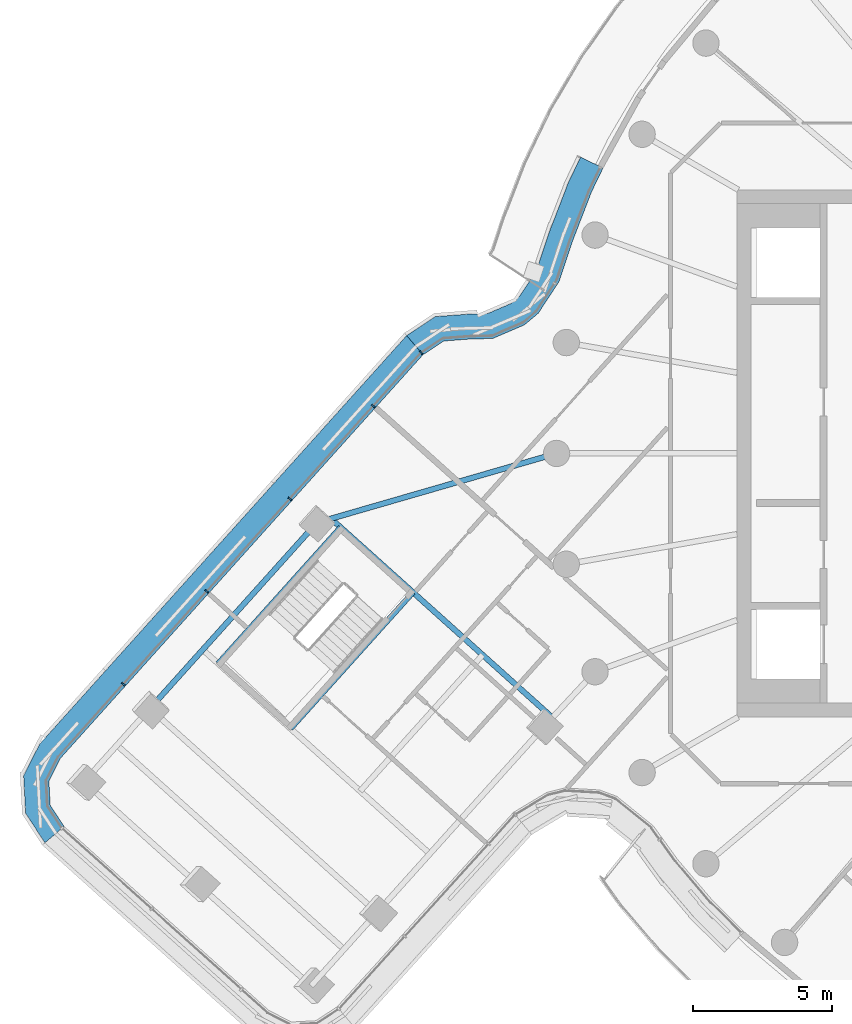
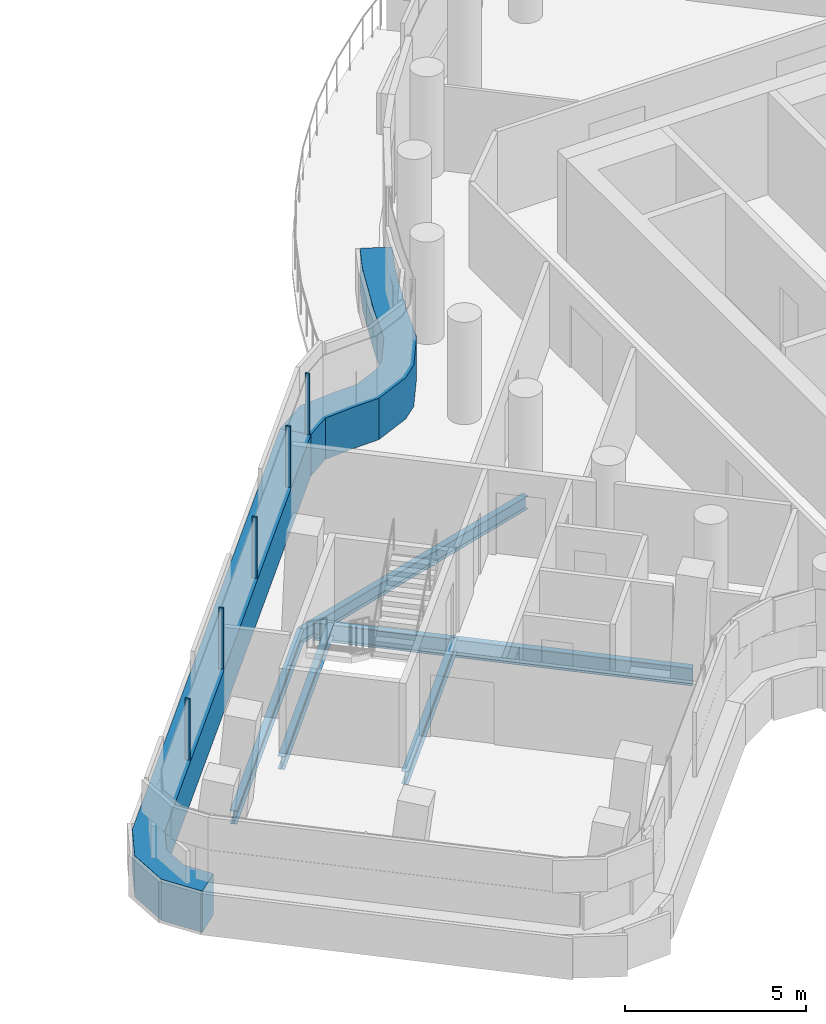
# One storey, part 8 of 31: 7 members, 5 beams, 2 elements without a shape of their own.
"""IFC4 building model written with IfcOpenShell, lengths in metres."""

from ifc_helpers import new_model, si_unit, direction, frame, origin, origin_2d, place, context, subcontext, project, spatial, polyline, rectangle, i_section, outline, extrude, material, layer, layer_set, material_profile, profile_set, type_object, element, aggregate, save


model = new_model("IFC4")

# Units and contexts
model_context = context("Model", 3, precision=1e-05, world=origin(), true_north=direction((0.0, 1.0)))
body_context = subcontext(model_context, "Body", "Model", "MODEL_VIEW")
ifc_project = project(units=[si_unit("LENGTHUNIT", "METRE"), si_unit("AREAUNIT", "SQUARE_METRE"), si_unit("VOLUMEUNIT", "CUBIC_METRE"), si_unit("PLANEANGLEUNIT", "RADIAN"), si_unit("MASSUNIT", "GRAM", prefix="KILO")], contexts=[model_context])

# Site, building, storey
site_placement = place(None, origin())
site = spatial("IfcSite", under=ifc_project, at=site_placement, CompositionType="ELEMENT")
building_placement = place(site_placement, origin())
building = spatial("IfcBuilding", under=site, at=building_placement, Name="Tamarind Cross Interchange Tower", CompositionType="ELEMENT")
storey_placement = place(building_placement, frame((0.0, 0.0, 207.699951171875)))
storey = spatial("IfcBuildingStorey", under=building, at=storey_placement, Name="L52", CompositionType="ELEMENT", Elevation=207.699951171875)

# Beams
ifc_material_1 = material(Name="Steel Q355B", Category="steel")
ifc_material_profile_1 = material_profile(ifc_material_1, i_section(OverallWidth=0.198974609375, OverallDepth=0.446044921875, WebThickness=0.008056640625, FlangeThickness=0.011962890625, FilletRadius=0.012939453125, at=origin_2d()), Name="HN 446x199x8x12")
ifc_profile_set_1 = profile_set([ifc_material_profile_1], Name="Steel Q355B")
beam_type_1 = type_object("IfcBeamType", Name="Composite beam HN 446x199x8x12 Q355B", PredefinedType="BEAM", material=ifc_profile_set_1)
beam_1_placement = place(storey_placement, frame((-37.653564453125, -9.19287109375, -0.363037109375), z_axis=(0.668338041113, 0.743857689885, 0.0), x_axis=(-0.743857689885, 0.668338041113, 0.0)))
element("IfcBeam", 1, at=beam_1_placement, inside=storey, type_object=beam_type_1, Name="Beam W-edgeem6", PredefinedType="BEAM", context=body_context, shape_type="SweptSolid", body=[
    extrude(i_section(OverallWidth=0.198974609375, OverallDepth=0.446044921875, WebThickness=0.008056640625, FlangeThickness=0.011962890625, FilletRadius=0.012939453125, at=origin_2d()), origin(), (0.0, 0.0, 1.0), 9.000244140625),
])
beam_2_placement = place(storey_placement, frame((-31.638427734375, -2.498046875, -0.363037109375), z_axis=(0.960639987871, 0.277796352935, 0.0), x_axis=(-0.277796352935, 0.960639987871, 0.0)))
element("IfcBeam", 2, at=beam_2_placement, inside=storey, type_object=beam_type_1, Name="Beam W-linkem", PredefinedType="BEAM", context=body_context, shape_type="SweptSolid", body=[
    extrude(i_section(OverallWidth=0.198974609375, OverallDepth=0.446044921875, WebThickness=0.008056640625, FlangeThickness=0.011962890625, FilletRadius=0.012939453125, at=origin_2d()), origin(), (0.0, 0.0, 1.0), 8.992431640625),
])
for number, where, z_axis, x_axis, name in (
    (3, (-30.77978515625, -2.66455078125, -0.363037109375), (-0.668349352044, -0.743847527134, 0.0), (0.743847527134, -0.668349352044, 0.0), "Beam W-tr0"),
    (4, (-28.17626953125, -5.00390625, -0.363037109375), (-0.668349352044, -0.743847527134, 0.0), (0.743847527134, -0.668349352044, 0.0), "Beam W-tr1"),
):
    element("IfcBeam", number, at=place(storey_placement, frame(where, z_axis=z_axis, x_axis=x_axis)), inside=storey, type_object=beam_type_1, Name=name, PredefinedType="BEAM", context=body_context, shape_type="SweptSolid", body=[
        extrude(i_section(OverallWidth=0.198974609375, OverallDepth=0.446044921875, WebThickness=0.008056640625, FlangeThickness=0.011962890625, FilletRadius=0.012939453125, at=origin_2d()), origin(), (0.0, 0.0, 1.0), 6.60009765625),
    ])
ifc_material_profile_2 = material_profile(ifc_material_1, i_section(OverallWidth=0.198974609375, OverallDepth=0.595947265625, WebThickness=0.010009765625, FlangeThickness=0.014892578125, FilletRadius=0.012939453125, at=origin_2d()), Name="HN 596x199x10x15")
ifc_profile_set_2 = profile_set([ifc_material_profile_2], Name="Steel Q355B")
beam_type_2 = type_object("IfcBeamType", Name="Composite beam HN 596x199x10x15 Q355B", PredefinedType="BEAM", material=ifc_profile_set_2)
beam_3_placement = place(storey_placement, frame((-31.129150390625, -2.350830078125, -0.43798828125), z_axis=(0.743855189461, -0.668340824065, 0.0), x_axis=(0.668340824065, 0.743855189461, 0.0)))
element("IfcBeam", 5, at=beam_3_placement, inside=storey, type_object=beam_type_2, Name="Beam W-x298", PredefinedType="BEAM", context=body_context, shape_type="SweptSolid", body=[
    extrude(i_section(OverallWidth=0.198974609375, OverallDepth=0.595947265625, WebThickness=0.010009765625, FlangeThickness=0.014892578125, FilletRadius=0.012939453125, at=origin_2d()), origin(), (0.0, 0.0, 1.0), 10.727294921875),
])

# Curtain wall, member
ifc_material_2 = material(Name="Aluminium 6063-T6", Category="aluminium")
ifc_layer = layer(ifc_material_2, 0.139892578125)
ifc_layer_set = layer_set([ifc_layer], Name="Aluminium 6063-T6")
curtain_wall_type = type_object("IfcCurtainWallType", Name="Hotel curtain wall, 4.5 m bays", PredefinedType="NOTDEFINED", material=ifc_layer_set)
curtain_wall_1_placement = place(storey_placement, origin())
curtain_wall_1 = element("IfcCurtainWall", 6, at=curtain_wall_1_placement, inside=storey, type_object=curtain_wall_type, Name="CWS-L52-10", PredefinedType="NOTDEFINED")
ifc_material_3 = material(Name="Aluminium and insulated spandrel panel", Category="aluminium")
member_type_1 = type_object("IfcMemberType", Name="Floor-edge blade transom", PredefinedType="USERDEFINED", material=ifc_material_3)
member_1_placement = place(storey_placement, origin())
member_1 = element("IfcMember", 7, at=member_1_placement, type_object=member_type_1, Name="CWT-L52-10-1", ObjectType="TRANSOM", PredefinedType="USERDEFINED", context=body_context, shape_type="SweptSolid", body=[
    extrude(outline(polyline([(-21.324951171875, 10.28466796875), (-21.74072265625, 9.425048828125), (-22.446533203125, 7.5927734375), (-22.907958984375, 6.193359375), (-23.660400390625, 5.048095703125), (-24.15966796875, 4.629638671875), (-25.299560546875, 4.14013671875), (-26.15087890625, 4.118408203125), (-27.06884765625, 4.04833984375), (-27.810791015625, 3.557373046875), (-28.4033203125, 4.24462890625), (-27.370361328125, 4.927978515625), (-26.196533203125, 5.017578125), (-25.49560546875, 5.035400390625), (-24.636474609375, 5.404296875), (-24.340087890625, 5.65283203125), (-23.7255859375, 6.588134765625), (-23.294189453125, 7.895751953125), (-22.567138671875, 9.783203125), (-22.1357421875, 10.675537109375), (-21.324951171875, 10.28466796875)])), origin(), (0.0, 0.0, 1.0), 1.400146484375),
])
aggregate(curtain_wall_1, [member_1])

# Curtain wall, members
curtain_wall_2_placement = place(storey_placement, origin())
curtain_wall_2 = element("IfcCurtainWall", 8, at=curtain_wall_2_placement, inside=storey, type_object=curtain_wall_type, Name="CWS-L52-11", PredefinedType="NOTDEFINED")
member_2_placement = place(storey_placement, origin())
member_2 = element("IfcMember", 9, at=member_2_placement, type_object=member_type_1, Name="CWT-L52-11", ObjectType="TRANSOM", PredefinedType="USERDEFINED", context=body_context, shape_type="SweptSolid", body=[
    extrude(outline(polyline([(-27.810791015625, 3.557373046875), (-40.876953125, -10.985107421875), (-41.291748046875, -11.801025390625), (-41.2451171875, -12.67431640625), (-40.74560546875, -13.441650390625), (-41.435302734375, -14.031982421875), (-42.130859375, -12.96337890625), (-42.203369140625, -11.6083984375), (-41.625732421875, -10.4716796875), (-28.4033203125, 4.24462890625), (-27.810791015625, 3.557373046875)])), origin(), (0.0, 0.0, 1.0), 1.400146484375),
])
ifc_material_profile_3 = material_profile(ifc_material_2, rectangle(XDim=0.06005859375, YDim=0.139892578125, at=origin_2d()), Name="Mullion CW2")
ifc_profile_set_3 = profile_set([ifc_material_profile_3], Name="Aluminium 6063-T6")
member_type_2 = type_object("IfcMemberType", Name="Mullion CW2", PredefinedType="MULLION", material=ifc_profile_set_3)
member_3_placement = place(storey_placement, frame((-27.876708984375, 3.6337890625, 1.400146484375), z_axis=(0.0, 0.0, 1.0), x_axis=(-0.757261414137, -0.653111897503, 0.0)))
member_3 = element("IfcMember", 10, at=member_3_placement, type_object=member_type_2, Name="CWM-L52-11-00", PredefinedType="MULLION", context=body_context, shape_type="SweptSolid", body=[
    extrude(rectangle(XDim=0.06005859375, YDim=0.139892578125, at=origin_2d()), origin(), (0.0, 0.0, 1.0), 2.059814453125),
])
member_4_placement = place(storey_placement, frame((-29.6103515625, 1.7041015625, 1.400146484375), z_axis=(0.0, 0.0, 1.0), x_axis=(-0.668341634065, -0.743854461689, 0.0)))
member_4 = element("IfcMember", 11, at=member_4_placement, type_object=member_type_2, Name="CWM-L52-11-01", PredefinedType="MULLION", context=body_context, shape_type="SweptSolid", body=[
    extrude(rectangle(XDim=0.06005859375, YDim=0.139892578125, at=origin_2d()), origin(), (0.0, 0.0, 1.0), 2.059814453125),
])
member_5_placement = place(storey_placement, frame((-32.60986328125, -1.63427734375, 1.400146484375), z_axis=(0.0, 0.0, 1.0), x_axis=(-0.668341634065, -0.743854461689, 0.0)))
member_5 = element("IfcMember", 12, at=member_5_placement, type_object=member_type_2, Name="CWM-L52-11-02", PredefinedType="MULLION", context=body_context, shape_type="SweptSolid", body=[
    extrude(rectangle(XDim=0.06005859375, YDim=0.139892578125, at=origin_2d()), origin(), (0.0, 0.0, 1.0), 2.059814453125),
])
member_6_placement = place(storey_placement, frame((-35.609619140625, -4.972900390625, 1.400146484375), z_axis=(0.0, 0.0, 1.0), x_axis=(-0.668341634065, -0.743854461689, 0.0)))
member_6 = element("IfcMember", 13, at=member_6_placement, type_object=member_type_2, Name="CWM-L52-11-03", PredefinedType="MULLION", context=body_context, shape_type="SweptSolid", body=[
    extrude(rectangle(XDim=0.06005859375, YDim=0.139892578125, at=origin_2d()), origin(), (0.0, 0.0, 1.0), 2.059814453125),
])
member_7_placement = place(storey_placement, frame((-38.609130859375, -8.311279296875, 1.400146484375), z_axis=(0.0, 0.0, 1.0), x_axis=(-0.668341634065, -0.743854461689, 0.0)))
member_7 = element("IfcMember", 14, at=member_7_placement, type_object=member_type_2, Name="CWM-L52-11-04", PredefinedType="MULLION", context=body_context, shape_type="SweptSolid", body=[
    extrude(rectangle(XDim=0.06005859375, YDim=0.139892578125, at=origin_2d()), origin(), (0.0, 0.0, 1.0), 2.059814453125),
])
aggregate(curtain_wall_2, [member_3, member_4, member_5, member_6, member_7, member_2])

save(model, "model.ifc")
